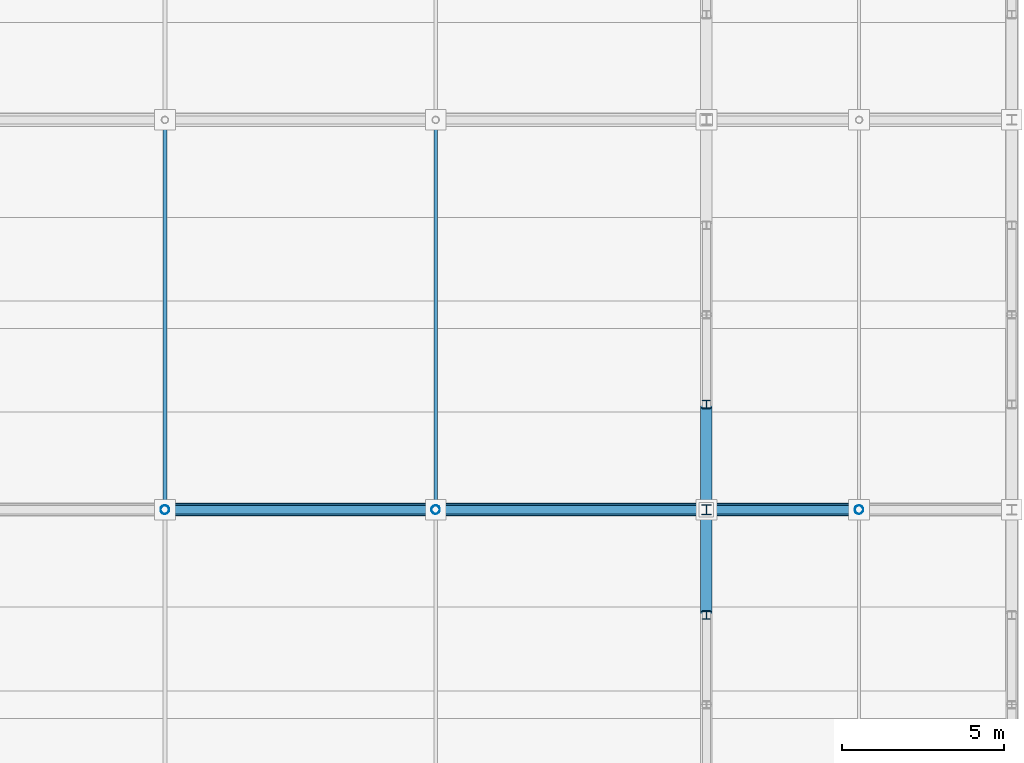
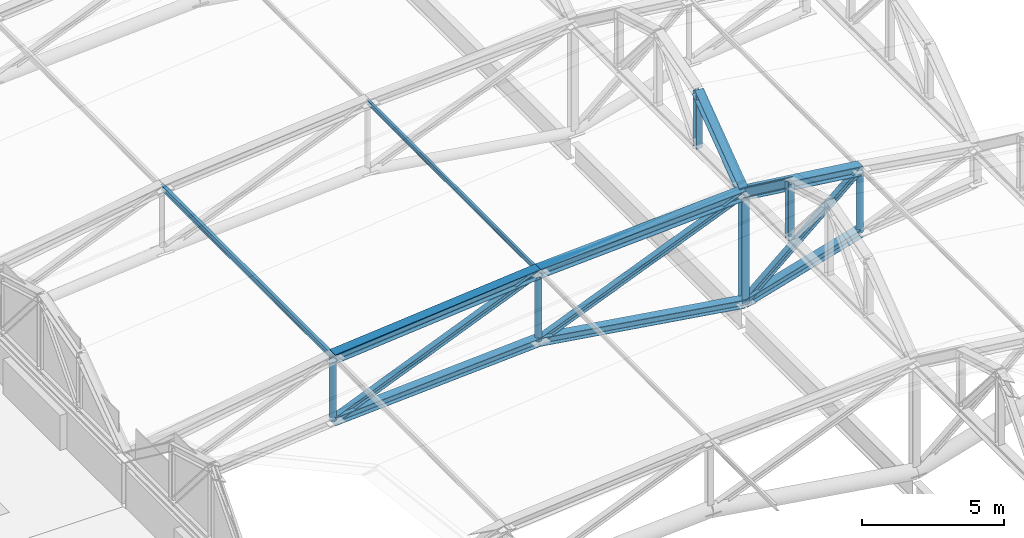
# One storey, part 34 of 117: 19 members.
"""IFC4 building model written with IfcOpenShell, lengths in metres."""

from ifc_helpers import new_model, si_unit, direction, frame, origin, origin_2d, place, context, subcontext, project, spatial, hollow_circle, i_section, extrude, material, material_profile, profile_set, type_object, element, save


model = new_model("IFC4")

# Units and contexts
model_context = context("Model", 3, precision=1e-05, world=origin(), true_north=direction((0.0, 1.0)))
body_context = subcontext(model_context, "Body", "Model", "MODEL_VIEW")
ifc_project = project(units=[si_unit("LENGTHUNIT", "METRE"), si_unit("AREAUNIT", "SQUARE_METRE"), si_unit("VOLUMEUNIT", "CUBIC_METRE"), si_unit("PLANEANGLEUNIT", "RADIAN"), si_unit("MASSUNIT", "GRAM", prefix="KILO")], contexts=[model_context])

# Site, building, storey
site_placement = place(None, origin())
site = spatial("IfcSite", under=ifc_project, at=site_placement, CompositionType="ELEMENT")
building_placement = place(site_placement, origin())
building = spatial("IfcBuilding", under=site, at=building_placement, Name="Kazenohara Klinker Stadium", CompositionType="ELEMENT")
storey_placement = place(building_placement, frame((0.0, 0.0, 31.199951171875)))
storey = spatial("IfcBuildingStorey", under=building, at=storey_placement, Name="RF", CompositionType="ELEMENT", Elevation=31.199951171875)

# Members
ifc_material = material(Name="Steel S355", Category="steel")
ifc_material_profile_1 = material_profile(ifc_material, i_section(OverallWidth=0.25, OverallDepth=0.25, WebThickness=0.009033203125, FlangeThickness=0.013916015625, FilletRadius=0.012939453125, at=origin_2d()), Name="H-250x250x9x14")
ifc_profile_set_1 = profile_set([ifc_material_profile_1], Name="Steel S355")
member_type_1 = type_object("IfcMemberType", Name="MEM-BRC02", PredefinedType="BRACE", material=ifc_profile_set_1)
member_1_placement = place(storey_placement, frame((32.333251953125, 96.0, 0.75), z_axis=(0.923953834256, 0.0, 0.382504002808), x_axis=(0.0, 1.0, 0.0)))
element("IfcMember", 1, at=member_1_placement, inside=storey, type_object=member_type_1, Name="ROOF TRUSS RT-W05 web diagonal 2", PredefinedType="BRACE", context=body_context, shape_type="SweptSolid", body=[
    extrude(i_section(OverallWidth=0.25, OverallDepth=0.25, WebThickness=0.009033203125, FlangeThickness=0.013916015625, FilletRadius=0.012939453125, at=origin_2d()), origin(), (0.0, 0.0, 1.0), 9.019287109375),
])
member_2_placement = place(storey_placement, frame((40.666748046875, 96.0, 1.25), z_axis=(0.925893541001, 0.0, 0.377784529503), x_axis=(0.0, 1.0, 0.0)))
element("IfcMember", 2, at=member_2_placement, inside=storey, type_object=member_type_1, Name="ROOF TRUSS RT-W05 web diagonal 3", PredefinedType="BRACE", context=body_context, shape_type="SweptSolid", body=[
    extrude(i_section(OverallWidth=0.25, OverallDepth=0.25, WebThickness=0.009033203125, FlangeThickness=0.013916015625, FilletRadius=0.012939453125, at=origin_2d()), origin(), (0.0, 0.0, 1.0), 9.000244140625),
])
member_3_placement = place(storey_placement, frame((49.0, 96.0, -0.02001953125), z_axis=(0.755945561544, 0.0, 0.65463448426), x_axis=(0.0, 1.0, 0.0)))
element("IfcMember", 3, at=member_3_placement, inside=storey, type_object=member_type_1, Name="ROOF TRUSS RT-W05 web diagonal 4", PredefinedType="BRACE", context=body_context, shape_type="SweptSolid", body=[
    extrude(i_section(OverallWidth=0.25, OverallDepth=0.25, WebThickness=0.009033203125, FlangeThickness=0.013916015625, FilletRadius=0.012939453125, at=origin_2d()), origin(), (0.0, 0.0, 1.0), 6.21728515625),
])
ifc_material_profile_2 = material_profile(ifc_material, i_section(OverallWidth=0.39990234375, OverallDepth=0.39990234375, WebThickness=0.012939453125, FlangeThickness=0.02099609375, FilletRadius=0.02197265625, at=origin_2d()), Name="H-400x400x13x21")
ifc_profile_set_2 = profile_set([ifc_material_profile_2], Name="Steel S355")
member_type_2 = type_object("IfcMemberType", Name="MEM-CHD01", PredefinedType="CHORD", material=ifc_profile_set_2)
member_4_placement = place(storey_placement, frame((32.333251953125, 96.0, 3.449951171875), z_axis=(0.995974595139, 0.0, 0.08963596286), x_axis=(0.0, 1.0, 0.0)))
element("IfcMember", 4, at=member_4_placement, inside=storey, type_object=member_type_2, Name="ROOF TRUSS RT-W05 top arched chord 2", PredefinedType="CHORD", context=body_context, shape_type="SweptSolid", body=[
    extrude(i_section(OverallWidth=0.39990234375, OverallDepth=0.39990234375, WebThickness=0.012939453125, FlangeThickness=0.02099609375, FilletRadius=0.02197265625, at=origin_2d()), origin(), (0.0, 0.0, 1.0), 8.3671875),
])
member_5_placement = place(storey_placement, frame((40.666748046875, 96.0, 4.199951171875), z_axis=(0.99854389216, 0.0, 0.053945300359), x_axis=(0.0, 1.0, 0.0)))
element("IfcMember", 5, at=member_5_placement, inside=storey, type_object=member_type_2, Name="ROOF TRUSS RT-W05 top arched chord 3", PredefinedType="CHORD", context=body_context, shape_type="SweptSolid", body=[
    extrude(i_section(OverallWidth=0.39990234375, OverallDepth=0.39990234375, WebThickness=0.012939453125, FlangeThickness=0.02099609375, FilletRadius=0.02197265625, at=origin_2d()), origin(), (0.0, 0.0, 1.0), 8.345458984375),
])
member_6_placement = place(storey_placement, frame((49.0, 96.0, 4.650146484375), z_axis=(0.99194702514, 0.0, -0.126653461524), x_axis=(0.0, 1.0, 0.0)))
element("IfcMember", 6, at=member_6_placement, inside=storey, type_object=member_type_2, Name="ROOF TRUSS RT-W05 top arched chord 4", PredefinedType="CHORD", context=body_context, shape_type="SweptSolid", body=[
    extrude(i_section(OverallWidth=0.39990234375, OverallDepth=0.39990234375, WebThickness=0.012939453125, FlangeThickness=0.02099609375, FilletRadius=0.02197265625, at=origin_2d()), origin(), (0.0, 0.0, 1.0), 4.738037109375),
])
ifc_material_profile_3 = material_profile(ifc_material, i_section(OverallWidth=0.35009765625, OverallDepth=0.35009765625, WebThickness=0.011962890625, FlangeThickness=0.01904296875, FilletRadius=0.012939453125, at=origin_2d()), Name="H-350x350x12x19")
ifc_profile_set_3 = profile_set([ifc_material_profile_3], Name="Steel S355")
member_type_3 = type_object("IfcMemberType", Name="MEM-CHD02", PredefinedType="CHORD", material=ifc_profile_set_3)
member_7_placement = place(storey_placement, frame((32.333251953125, 96.0, 0.75), z_axis=(0.998204915398, 0.0, 0.059891125175), x_axis=(0.0, 1.0, 0.0)))
element("IfcMember", 7, at=member_7_placement, inside=storey, type_object=member_type_3, Name="ROOF TRUSS RT-W05 bottom arched chord 2", PredefinedType="CHORD", context=body_context, shape_type="SweptSolid", body=[
    extrude(i_section(OverallWidth=0.35009765625, OverallDepth=0.35009765625, WebThickness=0.011962890625, FlangeThickness=0.01904296875, FilletRadius=0.012939453125, at=origin_2d()), origin(), (0.0, 0.0, 1.0), 8.348388671875),
])
member_8_placement = place(storey_placement, frame((40.666748046875, 96.0, 1.25), z_axis=(0.988585006916, 0.0, -0.15066414338), x_axis=(0.0, 1.0, 0.0)))
element("IfcMember", 8, at=member_8_placement, inside=storey, type_object=member_type_3, Name="ROOF TRUSS RT-W05 bottom arched chord 3", PredefinedType="CHORD", context=body_context, shape_type="SweptSolid", body=[
    extrude(i_section(OverallWidth=0.35009765625, OverallDepth=0.35009765625, WebThickness=0.011962890625, FlangeThickness=0.01904296875, FilletRadius=0.012939453125, at=origin_2d()), origin(), (0.0, 0.0, 1.0), 8.429443359375),
])
member_9_placement = place(storey_placement, frame((49.0, 96.0, -0.02001953125), z_axis=(0.960038530088, 0.0, 0.279867863012), x_axis=(0.0, 1.0, 0.0)))
element("IfcMember", 9, at=member_9_placement, inside=storey, type_object=member_type_3, Name="ROOF TRUSS RT-W05 bottom arched chord 4", PredefinedType="CHORD", context=body_context, shape_type="SweptSolid", body=[
    extrude(i_section(OverallWidth=0.35009765625, OverallDepth=0.35009765625, WebThickness=0.011962890625, FlangeThickness=0.01904296875, FilletRadius=0.012939453125, at=origin_2d()), origin(), (0.0, 0.0, 1.0), 4.8955078125),
])
for number, where, z_axis, x_axis, name in (
    (10, (49.0, 92.760009765625, 7.050048828125), (0.0, 0.803567919639, -0.595213069856), (-1.0, 0.0, 0.0), "Barrel arch top rib TC02 W-04-N3-S4"),
    (11, (49.0, 96.0, 4.650146484375), (0.0, 0.803567919639, 0.595213069856), (-1.0, 0.0, 0.0), "Barrel arch top rib TC02 W-05-N3-S1"),
):
    element("IfcMember", number, at=place(storey_placement, frame(where, z_axis=z_axis, x_axis=x_axis)), inside=storey, type_object=member_type_3, Name=name, PredefinedType="CHORD", context=body_context, shape_type="SweptSolid", body=[
        extrude(i_section(OverallWidth=0.35009765625, OverallDepth=0.35009765625, WebThickness=0.011962890625, FlangeThickness=0.01904296875, FilletRadius=0.012939453125, at=origin_2d()), origin(), (0.0, 0.0, 1.0), 4.031982421875),
    ])
ifc_material_profile_4 = material_profile(ifc_material, i_section(OverallWidth=0.125, OverallDepth=0.25, WebThickness=0.006103515625, FlangeThickness=0.009033203125, FilletRadius=0.008056640625, at=origin_2d()), Name="H-250x125x6x9")
ifc_profile_set_4 = profile_set([ifc_material_profile_4], Name="Steel S355")
member_type_4 = type_object("IfcMemberType", Name="MEM-PUR01", PredefinedType="PURLIN", material=ifc_profile_set_4)
member_10_placement = place(storey_placement, frame((32.333251953125, 96.0, 3.469970703125), z_axis=(0.0, 1.0, 0.0), x_axis=(-1.0, 0.0, 0.0)))
element("IfcMember", 12, at=member_10_placement, inside=storey, type_object=member_type_4, Name="Canopy valley tie purlin PR01 W-05-N1", PredefinedType="PURLIN", context=body_context, shape_type="SweptSolid", body=[
    extrude(i_section(OverallWidth=0.125, OverallDepth=0.25, WebThickness=0.006103515625, FlangeThickness=0.009033203125, FilletRadius=0.008056640625, at=origin_2d()), origin(), (0.0, 0.0, 1.0), 12.0),
])
ifc_material_profile_5 = material_profile(ifc_material, i_section(OverallWidth=0.10009765625, OverallDepth=0.199951171875, WebThickness=0.005615234375, FlangeThickness=0.008056640625, FilletRadius=0.008056640625, at=origin_2d()), Name="H-200x100x5.5x8")
ifc_profile_set_5 = profile_set([ifc_material_profile_5], Name="Steel S355")
member_type_5 = type_object("IfcMemberType", Name="MEM-PUR02", PredefinedType="PURLIN", material=ifc_profile_set_5)
member_11_placement = place(storey_placement, frame((40.666748046875, 96.0, 4.219970703125), z_axis=(0.0, 1.0, 0.0), x_axis=(-1.0, 0.0, 0.0)))
element("IfcMember", 13, at=member_11_placement, inside=storey, type_object=member_type_5, Name="Canopy valley tie purlin PR02 W-05-N2", PredefinedType="PURLIN", context=body_context, shape_type="SweptSolid", body=[
    extrude(i_section(OverallWidth=0.10009765625, OverallDepth=0.199951171875, WebThickness=0.005615234375, FlangeThickness=0.008056640625, FilletRadius=0.008056640625, at=origin_2d()), origin(), (0.0, 0.0, 1.0), 12.0),
])
ifc_material_profile_6 = material_profile(ifc_material, i_section(OverallWidth=0.300048828125, OverallDepth=0.300048828125, WebThickness=0.010009765625, FlangeThickness=0.014892578125, FilletRadius=0.012939453125, at=origin_2d()), Name="H-300x300x10x15")
ifc_profile_set_6 = profile_set([ifc_material_profile_6], Name="Steel S355")
member_type_6 = type_object("IfcMemberType", Name="MEM-STR01", PredefinedType="STRUT", material=ifc_profile_set_6)
member_12_placement = place(storey_placement, frame((49.0, 96.0, -0.02001953125), z_axis=(0.0, 0.0, 1.0), x_axis=(1.0, 0.0, 0.0)))
element("IfcMember", 14, at=member_12_placement, inside=storey, type_object=member_type_6, Name="ROOF TRUSS RT-W05 web post 4", PredefinedType="STRUT", context=body_context, shape_type="SweptSolid", body=[
    extrude(i_section(OverallWidth=0.300048828125, OverallDepth=0.300048828125, WebThickness=0.010009765625, FlangeThickness=0.014892578125, FilletRadius=0.012939453125, at=origin_2d()), origin(), (0.0, 0.0, 1.0), 4.670166015625),
])
ifc_material_profile_7 = material_profile(ifc_material, i_section(OverallWidth=0.25, OverallDepth=0.25, WebThickness=0.009033203125, FlangeThickness=0.013916015625, FilletRadius=0.012939453125, at=origin_2d()), Name="H-250x250x9x14")
ifc_profile_set_7 = profile_set([ifc_material_profile_7], Name="Steel S355")
member_type_7 = type_object("IfcMemberType", Name="MEM-STR02", PredefinedType="STRUT", material=ifc_profile_set_7)
for number, where, z_axis, x_axis, name in (
    (15, (49.0, 92.760009765625, 4.650146484375), (0.0, 0.0, 1.0), (1.0, 0.0, 0.0), "Barrel arch web post TS02 W-04-N3-P3"),
    (16, (49.0, 99.239990234375, 4.650146484375), (0.0, 0.0, 1.0), (1.0, 0.0, 0.0), "Barrel arch web post TS02 W-05-N3-P1"),
):
    element("IfcMember", number, at=place(storey_placement, frame(where, z_axis=z_axis, x_axis=x_axis)), inside=storey, type_object=member_type_7, Name=name, PredefinedType="STRUT", context=body_context, shape_type="SweptSolid", body=[
        extrude(i_section(OverallWidth=0.25, OverallDepth=0.25, WebThickness=0.009033203125, FlangeThickness=0.013916015625, FilletRadius=0.012939453125, at=origin_2d()), origin(), (0.0, 0.0, 1.0), 2.39990234375),
    ])
ifc_material_profile_8 = material_profile(ifc_material, hollow_circle(Radius=0.1337890625, WallThickness=0.009033203125, at=origin_2d()), Name="CHS-267.4x9")
ifc_profile_set_8 = profile_set([ifc_material_profile_8], Name="Steel S355")
member_type_8 = type_object("IfcMemberType", Name="MEM-STR03", PredefinedType="STRUT", material=ifc_profile_set_8)
member_13_placement = place(storey_placement, frame((32.333251953125, 96.0, 0.75), z_axis=(0.0, 0.0, 1.0), x_axis=(1.0, 0.0, 0.0)))
element("IfcMember", 17, at=member_13_placement, inside=storey, type_object=member_type_8, Name="ROOF TRUSS RT-W05 web post 2", PredefinedType="STRUT", context=body_context, shape_type="SweptSolid", body=[
    extrude(hollow_circle(Radius=0.1337890625, WallThickness=0.009033203125, at=origin_2d()), origin(), (0.0, 0.0, 1.0), 2.699951171875),
])
member_14_placement = place(storey_placement, frame((40.666748046875, 96.0, 1.25), z_axis=(0.0, 0.0, 1.0), x_axis=(1.0, 0.0, 0.0)))
element("IfcMember", 18, at=member_14_placement, inside=storey, type_object=member_type_8, Name="ROOF TRUSS RT-W05 web post 3", PredefinedType="STRUT", context=body_context, shape_type="SweptSolid", body=[
    extrude(hollow_circle(Radius=0.1337890625, WallThickness=0.009033203125, at=origin_2d()), origin(), (0.0, 0.0, 1.0), 2.949951171875),
])
member_15_placement = place(storey_placement, frame((53.699951171875, 96.0, 1.35009765625), z_axis=(0.0, 0.0, 1.0), x_axis=(1.0, 0.0, 0.0)))
element("IfcMember", 19, at=member_15_placement, inside=storey, type_object=member_type_8, Name="ROOF TRUSS RT-W05 web post 5", PredefinedType="STRUT", context=body_context, shape_type="SweptSolid", body=[
    extrude(hollow_circle(Radius=0.1337890625, WallThickness=0.009033203125, at=origin_2d()), origin(), (0.0, 0.0, 1.0), 2.699951171875),
])

save(model, "model.ifc")
